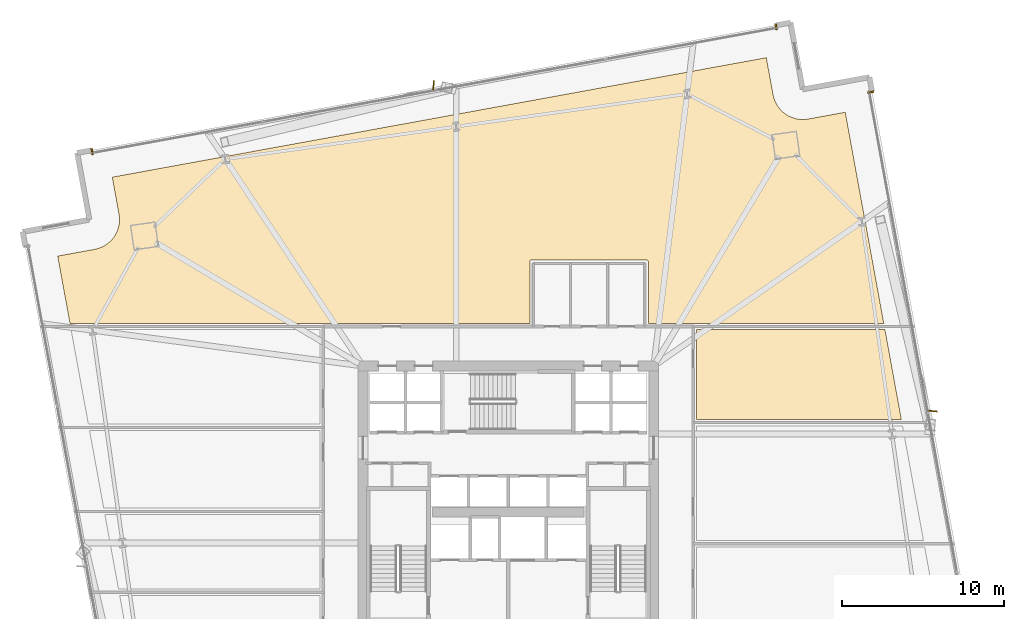
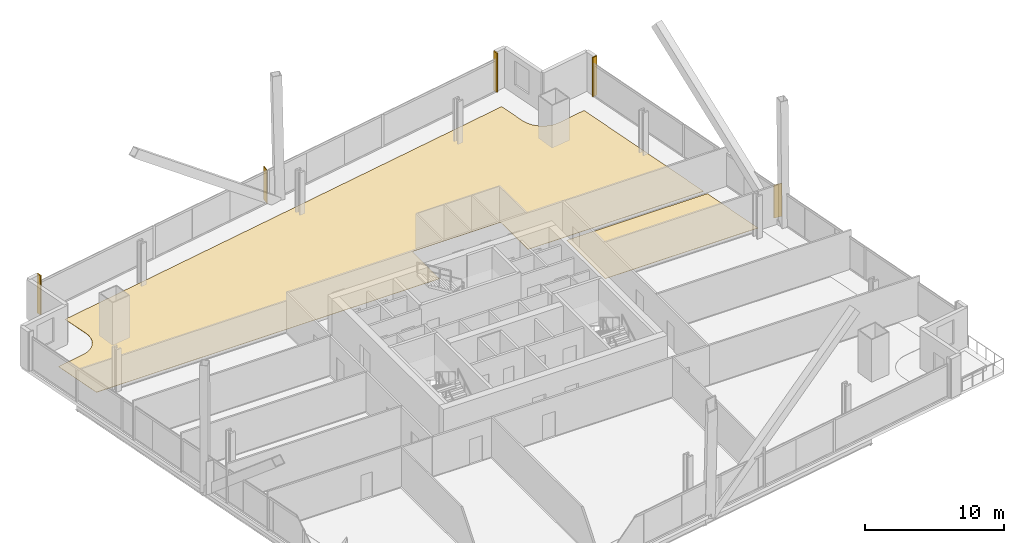
# One storey, part 34 of 34: 5 coverings, 2 shading devices.
"""IFC4 building model written with IfcOpenShell, lengths in metres."""

from ifc_helpers import new_model, si_unit, direction, frame, origin, origin_2d, place, context, subcontext, project, spatial, polyline, rectangle, outline, extrude, source, transform, mapped, material, layer, layer_set, type_object, element, save


model = new_model("IFC4")

# Units and contexts
model_context = context("Model", 3, precision=1e-05, world=origin(), true_north=direction((0.0, 1.0)))
body_context = subcontext(model_context, "Body", "Model", "MODEL_VIEW")
ifc_project = project(units=[si_unit("LENGTHUNIT", "METRE"), si_unit("AREAUNIT", "SQUARE_METRE"), si_unit("VOLUMEUNIT", "CUBIC_METRE"), si_unit("PLANEANGLEUNIT", "RADIAN"), si_unit("MASSUNIT", "GRAM", prefix="KILO")], contexts=[model_context])

# Site, building, storey
site_placement = place(None, origin())
site = spatial("IfcSite", under=ifc_project, at=site_placement, CompositionType="ELEMENT")
building_placement = place(site_placement, origin())
building = spatial("IfcBuilding", under=site, at=building_placement, Name="Haldenkirk Collegiate Tower", CompositionType="ELEMENT")
storey_placement = place(building_placement, frame((0.0, 0.0, 62.699951171875)))
storey = spatial("IfcBuildingStorey", under=building, at=storey_placement, Name="L14", CompositionType="ELEMENT", Elevation=62.699951171875)

# Coverings
ifc_material_1 = material(Name="Polished collegiate terrazzo", Category="concrete")
ifc_layer_1 = layer(ifc_material_1, 0.02490234375)
ifc_layer_set_1 = layer_set([ifc_layer_1], Name="Polished collegiate terrazzo")
covering_type_1 = type_object("IfcCoveringType", Name="COV-FLOOR-TERRAZZO", PredefinedType="FLOORING", material=ifc_layer_set_1)
covering_1_placement = place(storey_placement, origin())
element("IfcCovering", 1, at=covering_1_placement, inside=storey, type_object=covering_type_1, Name="L14 academic room finish 12", PredefinedType="FLOORING", context=body_context, shape_type="SweptSolid", body=[
    extrude(outline(polyline([(60.33154296875, 30.699951171875), (47.64990234375, 30.699951171875), (47.64990234375, 36.25), (59.31787109375, 36.25), (60.33154296875, 30.699951171875)])), origin(), (0.0, 0.0, 1.0), 0.025146484375),
])
ifc_material_2 = material(Name="Engineered collegiate oak acoustic flooring", Category="wood")
ifc_layer_2 = layer(ifc_material_2, 0.02197265625)
ifc_layer_set_2 = layer_set([ifc_layer_2], Name="Engineered collegiate oak acoustic flooring")
covering_type_2 = type_object("IfcCoveringType", Name="COV-FLOOR-TIMBER", PredefinedType="FLOORING", material=ifc_layer_set_2)
covering_2_placement = place(storey_placement, origin())
element("IfcCovering", 2, at=covering_2_placement, inside=storey, type_object=covering_type_2, Name="L14 academic room finish 05", PredefinedType="FLOORING", context=body_context, shape_type="SweptSolid", body=[
    extrude(outline(polyline([(10.397705078125, 41.22802734375), (10.4033203125, 41.229248046875), (10.570556640625, 41.268310546875), (10.581787109375, 41.271484375), (10.744384765625, 41.326904296875), (10.75537109375, 41.331298828125), (10.911865234375, 41.402099609375), (10.922119140625, 41.40771484375), (11.07080078125, 41.493408203125), (11.080810546875, 41.5), (11.220458984375, 41.60009765625), (11.2294921875, 41.607421875), (11.358642578125, 41.720703125), (11.3671875, 41.72900390625), (11.484375, 41.854248046875), (11.4921875, 41.86328125), (11.596435546875, 41.99951171875), (11.60302734375, 42.00927734375), (11.693603515625, 42.1552734375), (11.699462890625, 42.16552734375), (11.775390625, 42.319580078125), (11.780029296875, 42.330322265625), (11.84033203125, 42.4912109375), (11.843994140625, 42.50244140625), (11.88818359375, 42.668212890625), (11.890869140625, 42.6796875), (11.918701171875, 42.84912109375), (11.919921875, 42.86083984375), (11.93115234375, 43.0322265625), (11.931396484375, 43.044189453125), (11.925537109375, 43.2158203125), (11.9248046875, 43.2275390625), (11.902099609375, 43.397705078125), (11.901123046875, 43.403564453125), (11.482421875, 45.69580078125), (51.972900390625, 53.090576171875), (52.3916015625, 50.79833984375), (52.392578125, 50.792724609375), (52.431884765625, 50.62548828125), (52.43505859375, 50.6142578125), (52.490234375, 50.45166015625), (52.49462890625, 50.440673828125), (52.565673828125, 50.2841796875), (52.571044921875, 50.273681640625), (52.656982421875, 50.125), (52.663330078125, 50.114990234375), (52.763427734375, 49.9755859375), (52.770751953125, 49.96630859375), (52.884033203125, 49.83740234375), (52.892333984375, 49.8291015625), (53.017578125, 49.711669921875), (53.026611328125, 49.703857421875), (53.1630859375, 49.599609375), (53.172607421875, 49.593017578125), (53.318603515625, 49.502197265625), (53.328857421875, 49.49658203125), (53.48291015625, 49.420654296875), (53.493896484375, 49.416015625), (53.654541015625, 49.355712890625), (53.665771484375, 49.35205078125), (53.831787109375, 49.3076171875), (53.84326171875, 49.30517578125), (54.0126953125, 49.27734375), (54.0244140625, 49.27587890625), (54.19580078125, 49.264892578125), (54.20751953125, 49.2646484375), (54.379150390625, 49.2705078125), (54.390869140625, 49.271240234375), (54.561279296875, 49.2939453125), (54.56689453125, 49.294921875), (56.85888671875, 49.71337890625), (59.244873046875, 36.64990234375), (44.669921875, 36.64990234375), (44.669921875, 40.449951171875), (44.66943359375, 40.4619140625), (44.667724609375, 40.473388671875), (44.664794921875, 40.48486328125), (44.660888671875, 40.495849609375), (44.65576171875, 40.506591796875), (44.64990234375, 40.5166015625), (44.642822265625, 40.526123046875), (44.635009765625, 40.534912109375), (44.626220703125, 40.542724609375), (44.61669921875, 40.5498046875), (44.606689453125, 40.555908203125), (44.595947265625, 40.560791015625), (44.584716796875, 40.564697265625), (44.573486328125, 40.567626953125), (44.561767578125, 40.5693359375), (44.550048828125, 40.570068359375), (37.449951171875, 40.570068359375), (37.438232421875, 40.5693359375), (37.426513671875, 40.567626953125), (37.415283203125, 40.564697265625), (37.404052734375, 40.560791015625), (37.393310546875, 40.555908203125), (37.38330078125, 40.5498046875), (37.373779296875, 40.542724609375), (37.364990234375, 40.534912109375), (37.357177734375, 40.526123046875), (37.35009765625, 40.5166015625), (37.34423828125, 40.506591796875), (37.339111328125, 40.495849609375), (37.335205078125, 40.48486328125), (37.332275390625, 40.473388671875), (37.33056640625, 40.4619140625), (37.330078125, 40.449951171875), (37.330078125, 36.64990234375), (8.864990234375, 36.64990234375), (8.10546875, 40.809326171875), (10.397705078125, 41.22802734375)])), origin(), (0.0, 0.0, 1.0), 0.02197265625),
])
ifc_material_3 = material(Name="Anodised architectural bronze aluminium", Category="aluminium")
ifc_layer_3 = layer(ifc_material_3, 0.06005859375)
ifc_layer_set_3 = layer_set([ifc_layer_3], Name="Anodised architectural bronze aluminium")
covering_type_3 = type_object("IfcCoveringType", Name="COV-CLAD-BRONZE-60", PredefinedType="CLADDING", material=ifc_layer_set_3)
shared_shape_1 = source(origin(), body_context, "Body", "SweptSolid", [
    extrude(rectangle(XDim=0.10009765625, YDim=0.3798828125, at=origin_2d()), origin(), (0.0, 0.0, 1.0), 3.43994140625),
])
for number, where, z_axis, x_axis, name in (
    (3, (58.441162109375, 50.957763671875, 0.0), (0.0, 0.0, 1.0), (0.179660748593, -0.98372862895, 0.0), "L14 recessed curtain-wall bronze jamb closure EJL"),
    (4, (10.238037109375, 47.27783203125, 0.0), (0.0, 0.0, 1.0), (0.98372862895, 0.179660748593, 0.0), "L14 recessed curtain-wall bronze jamb closure NJL"),
    (5, (52.57763671875, 55.010498046875, 0.0), (0.0, 0.0, 1.0), (0.98372862895, 0.179660748593, 0.0), "L14 recessed curtain-wall bronze jamb closure NJR"),
):
    element("IfcCovering", number, at=place(storey_placement, frame(where, z_axis=z_axis, x_axis=x_axis)), inside=storey, type_object=covering_type_3, Name=name, PredefinedType="CLADDING", context=body_context, shape_type="MappedRepresentation", body=[
        mapped(shared_shape_1, transform((0.0, 0.0, 0.0), x_axis=(1.0, 0.0, 0.0), y_axis=(0.0, 1.0, 0.0), z_axis=(0.0, 0.0, 1.0), scale=1.0)),
    ])

# Shading devices
ifc_layer_4 = layer(ifc_material_3, 0.06494140625)
ifc_layer_set_4 = layer_set([ifc_layer_4], Name="Anodised architectural bronze aluminium")
shading_device_type = type_object("IfcShadingDeviceType", Name="SHD-FIN-BRONZE-620", PredefinedType="USERDEFINED", material=ifc_layer_set_4)
shared_shape_2 = source(origin(), body_context, "Body", "SweptSolid", [
    extrude(rectangle(XDim=0.6201171875, YDim=0.06494140625, at=origin_2d()), origin(), (0.0, 0.0, 1.0), 2.89111328125),
])
for number, where, z_axis, x_axis, name in (
    (6, (62.25537109375, 31.214599609375, 0.0), (0.0, 0.0, 1.0), (0.995141863893, -0.098451362239, 0.0), "L14 folded bronze solar fin 1"),
    (7, (31.37109375, 51.345703125, 0.0), (0.0, 0.0, 1.0), (0.098451362239, 0.995141863893, 0.0), "L14 folded bronze solar fin 1"),
):
    element("IfcShadingDevice", number, at=place(storey_placement, frame(where, z_axis=z_axis, x_axis=x_axis)), inside=storey, type_object=shading_device_type, Name=name, ObjectType="FIN", PredefinedType="USERDEFINED", context=body_context, shape_type="MappedRepresentation", body=[
        mapped(shared_shape_2, transform((0.0, 0.0, 0.0), x_axis=(1.0, 0.0, 0.0), y_axis=(0.0, 1.0, 0.0), z_axis=(0.0, 0.0, 1.0), scale=1.0)),
    ])

save(model, "model.ifc")
